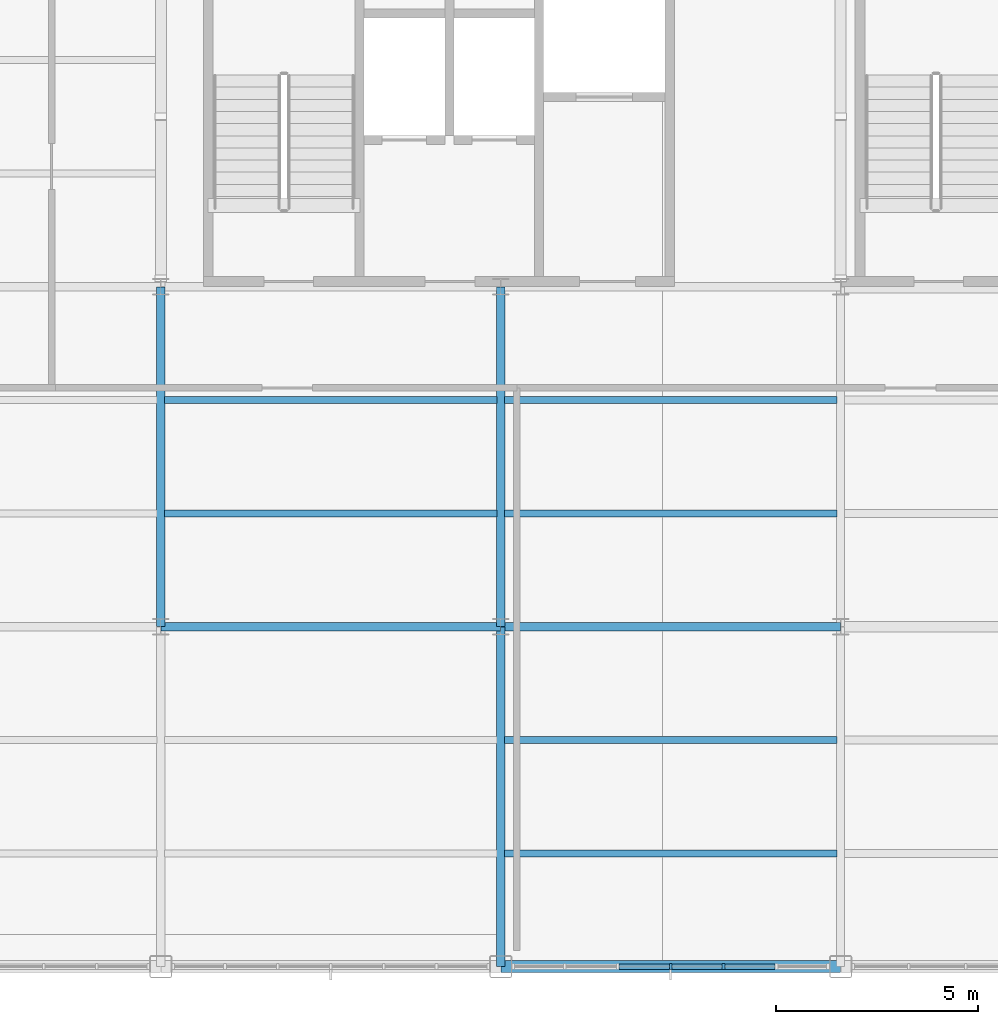
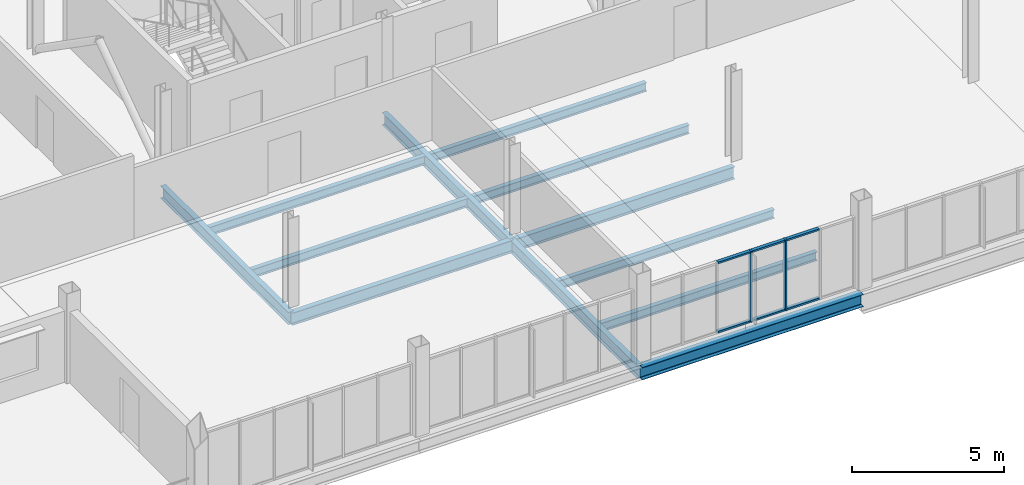
# One storey, part 5 of 18: 12 beams, 8 members, 1 element without a shape of its own.
"""IFC4 building model written with IfcOpenShell, lengths in metres."""

from ifc_helpers import new_model, si_unit, direction, frame, origin, origin_2d, place, context, subcontext, project, spatial, rectangle, i_section, extrude, material, layer, layer_set, material_profile, profile_set, type_object, element, aggregate, save


model = new_model("IFC4")

# Units and contexts
model_context = context("Model", 3, precision=1e-05, world=origin(), true_north=direction((0.0, 1.0)))
body_context = subcontext(model_context, "Body", "Model", "MODEL_VIEW")
ifc_project = project(units=[si_unit("LENGTHUNIT", "METRE"), si_unit("AREAUNIT", "SQUARE_METRE"), si_unit("VOLUMEUNIT", "CUBIC_METRE"), si_unit("PLANEANGLEUNIT", "RADIAN"), si_unit("MASSUNIT", "GRAM", prefix="KILO")], contexts=[model_context])

# Site, building, storey
site_placement = place(None, origin())
site = spatial("IfcSite", under=ifc_project, at=site_placement, CompositionType="ELEMENT")
building_placement = place(site_placement, origin())
building = spatial("IfcBuilding", under=site, at=building_placement, Name="Yukiwa Park Conservatory and Herbarium", CompositionType="ELEMENT")
storey_placement = place(building_placement, frame((0.0, 0.0, 21.0)))
storey = spatial("IfcBuildingStorey", under=building, at=storey_placement, Name="L05", CompositionType="ELEMENT", Elevation=21.0)

# Beams
ifc_material_1 = material(Name="Steel Q355D", Category="steel")
ifc_material_profile_1 = material_profile(ifc_material_1, i_section(OverallWidth=0.199951171875, OverallDepth=0.5, WebThickness=0.010009765625, FlangeThickness=0.01611328125, FilletRadius=0.02001953125, at=origin_2d()), Name="HN 500x200x10x16")
ifc_profile_set_1 = profile_set([ifc_material_profile_1], Name="Steel Q355D")
beam_type_1 = type_object("IfcBeamType", Name="BM-GRD-HN500", PredefinedType="BEAM", material=ifc_profile_set_1)
for number, where, z_axis, x_axis, name in (
    (1, (133.2060546875, 86.39990234375, -0.550048828125), (1.0, 0.0, 0.0), (0.0, 1.0, 0.0), "L05 grid beam X-8"),
    (2, (141.60595703125, 86.39990234375, -0.550048828125), (1.0, 0.0, 0.0), (0.0, 1.0, 0.0), "L05 grid beam X-9"),
    (3, (133.199951171875, 86.406005859375, -0.550048828125), (0.0, 1.0, 0.0), (-1.0, 0.0, 0.0), "L05 grid girder Y-37"),
    (4, (141.60009765625, 78.006103515625, -0.550048828125), (0.0, 1.0, 0.0), (-1.0, 0.0, 0.0), "L05 grid girder Y-40"),
    (5, (141.60009765625, 86.406005859375, -0.550048828125), (0.0, 1.0, 0.0), (-1.0, 0.0, 0.0), "L05 grid girder Y-41"),
):
    element("IfcBeam", number, at=place(storey_placement, frame(where, z_axis=z_axis, x_axis=x_axis)), inside=storey, type_object=beam_type_1, Name=name, PredefinedType="BEAM", context=body_context, shape_type="SweptSolid", body=[
        extrude(i_section(OverallWidth=0.199951171875, OverallDepth=0.5, WebThickness=0.010009765625, FlangeThickness=0.01611328125, FilletRadius=0.02001953125, at=origin_2d()), origin(), (0.0, 0.0, 1.0), 8.387939453125),
    ])
ifc_material_2 = material(Name="Steel Q355D", Category="steel")
ifc_material_profile_2 = material_profile(ifc_material_2, i_section(OverallWidth=0.175048828125, OverallDepth=0.35009765625, WebThickness=0.007080078125, FlangeThickness=0.010986328125, FilletRadius=0.013916015625, at=origin_2d()), Name="HN 350x175x7x11")
ifc_profile_set_2 = profile_set([ifc_material_profile_2], Name="Steel Q355D")
beam_type_2 = type_object("IfcBeamType", Name="BM-JST-HN350", PredefinedType="JOIST", material=ifc_profile_set_2)
for number, where, z_axis, x_axis, name in (
    (6, (133.2958984375, 89.199951171875, -0.47509765625), (1.0, 0.0, 0.0), (0.0, 1.0, 0.0), "L05 composite floor joist 15"),
    (7, (133.2958984375, 92.0, -0.47509765625), (1.0, 0.0, 0.0), (0.0, 1.0, 0.0), "L05 composite floor joist 16"),
    (8, (141.696044921875, 80.800048828125, -0.47509765625), (1.0, 0.0, 0.0), (0.0, 1.0, 0.0), "L05 composite floor joist 19"),
    (9, (141.696044921875, 83.60009765625, -0.47509765625), (1.0, 0.0, 0.0), (0.0, 1.0, 0.0), "L05 composite floor joist 20"),
    (10, (141.696044921875, 89.199951171875, -0.47509765625), (1.0, 0.0, 0.0), (0.0, 1.0, 0.0), "L05 composite floor joist 21"),
    (11, (141.696044921875, 92.0, -0.47509765625), (1.0, 0.0, 0.0), (0.0, 1.0, 0.0), "L05 composite floor joist 22"),
):
    element("IfcBeam", number, at=place(storey_placement, frame(where, z_axis=z_axis, x_axis=x_axis)), inside=storey, type_object=beam_type_2, Name=name, PredefinedType="JOIST", context=body_context, shape_type="SweptSolid", body=[
        extrude(i_section(OverallWidth=0.175048828125, OverallDepth=0.35009765625, WebThickness=0.007080078125, FlangeThickness=0.010986328125, FilletRadius=0.013916015625, at=origin_2d()), origin(), (0.0, 0.0, 1.0), 8.2080078125),
    ])
ifc_material_3 = material(Name="Steel Q355D", Category="steel")
ifc_material_profile_3 = material_profile(ifc_material_3, i_section(OverallWidth=0.300048828125, OverallDepth=0.5, WebThickness=0.010986328125, FlangeThickness=0.01806640625, FilletRadius=0.02392578125, at=origin_2d()), Name="HM 500x300x11x18")
ifc_profile_set_3 = profile_set([ifc_material_profile_3], Name="Steel Q355D")
beam_type_3 = type_object("IfcBeamType", Name="BM-SPN-HN500", PredefinedType="SPANDREL", material=ifc_profile_set_3)
beam_placement = place(storey_placement, frame((141.60595703125, 78.0, -0.550048828125), z_axis=(1.0, 0.0, 0.0), x_axis=(0.0, 1.0, 0.0)))
element("IfcBeam", 12, at=beam_placement, inside=storey, type_object=beam_type_3, Name="L05 spandrel beam X-4", PredefinedType="SPANDREL", context=body_context, shape_type="SweptSolid", body=[
    extrude(i_section(OverallWidth=0.300048828125, OverallDepth=0.5, WebThickness=0.010986328125, FlangeThickness=0.01806640625, FilletRadius=0.02392578125, at=origin_2d()), origin(), (0.0, 0.0, 1.0), 8.387939453125),
])

# Curtain wall, members
ifc_material_4 = material(Name="Triple Low-E Insulated Glass", Category="glass")
ifc_layer = layer(ifc_material_4, 0.248046875)
ifc_layer_set = layer_set([ifc_layer], Name="Triple Low-E Insulated Glass")
curtain_wall_type = type_object("IfcCurtainWallType", Name="CW-TOWER-LAB-S-1400", PredefinedType="NOTDEFINED", material=ifc_layer_set)
curtain_wall_placement = place(storey_placement, origin())
curtain_wall = element("IfcCurtainWall", 13, at=curtain_wall_placement, inside=storey, type_object=curtain_wall_type, Name="L05 unitised curtain wall CW-L05-078", PredefinedType="NOTDEFINED")
ifc_material_5 = material(Name="Anodised Aluminium", Category="aluminium")
member_type_1 = type_object("IfcMemberType", Name="MB-CW-MUL-70X150", PredefinedType="MULLION", material=ifc_material_5)
member_1_placement = place(storey_placement, frame((145.800048828125, 78.0, 0.0), z_axis=(0.0, 0.0, 1.0), x_axis=(1.0, 0.0, 0.0)))
member_1 = element("IfcMember", 14, at=member_1_placement, type_object=member_type_1, Name="CW-L05-078 mullion 4", PredefinedType="MULLION", context=body_context, shape_type="SweptSolid", body=[
    extrude(rectangle(XDim=0.070068359375, YDim=0.14990234375, at=origin_2d()), origin(), (0.0, 0.0, 1.0), 2.85009765625),
])
member_2_placement = place(storey_placement, frame((147.1083984375, 78.0, 0.0), z_axis=(0.0, 0.0, 1.0), x_axis=(1.0, 0.0, 0.0)))
member_2 = element("IfcMember", 15, at=member_2_placement, type_object=member_type_1, Name="CW-L05-078 mullion 5", PredefinedType="MULLION", context=body_context, shape_type="SweptSolid", body=[
    extrude(rectangle(XDim=0.070068359375, YDim=0.14990234375, at=origin_2d()), origin(), (0.0, 0.0, 1.0), 2.85009765625),
])
ifc_material_6 = material(Name="Anodised Aluminium", Category="aluminium")
member_type_2 = type_object("IfcMemberType", Name="MB-CW-TRN-70X130", PredefinedType="USERDEFINED", material=ifc_material_6)
member_3_placement = place(storey_placement, frame((145.145751953125, 78.0, 0.0), z_axis=(0.0, 0.0, 1.0), x_axis=(1.0, 0.0, 0.0)))
member_3 = element("IfcMember", 16, at=member_3_placement, type_object=member_type_2, Name="CW-L05-078 transom 3.1", ObjectType="TRANSOM", PredefinedType="USERDEFINED", context=body_context, shape_type="SweptSolid", body=[
    extrude(rectangle(XDim=1.23828125, YDim=0.1298828125, at=origin_2d()), origin(), (0.0, 0.0, 1.0), 0.070068359375),
])
member_4_placement = place(storey_placement, frame((145.145751953125, 78.0, 2.77978515625), z_axis=(0.0, 0.0, 1.0), x_axis=(1.0, 0.0, 0.0)))
member_4 = element("IfcMember", 17, at=member_4_placement, type_object=member_type_2, Name="CW-L05-078 transom 3.2", ObjectType="TRANSOM", PredefinedType="USERDEFINED", context=body_context, shape_type="SweptSolid", body=[
    extrude(rectangle(XDim=1.23828125, YDim=0.1298828125, at=origin_2d()), origin(), (0.0, 0.0, 1.0), 0.070068359375),
])
member_5_placement = place(storey_placement, frame((146.4541015625, 78.0, 0.0), z_axis=(0.0, 0.0, 1.0), x_axis=(1.0, 0.0, 0.0)))
member_5 = element("IfcMember", 18, at=member_5_placement, type_object=member_type_2, Name="CW-L05-078 transom 4.1", ObjectType="TRANSOM", PredefinedType="USERDEFINED", context=body_context, shape_type="SweptSolid", body=[
    extrude(rectangle(XDim=1.23828125, YDim=0.1298828125, at=origin_2d()), origin(), (0.0, 0.0, 1.0), 0.070068359375),
])
member_6_placement = place(storey_placement, frame((146.4541015625, 78.0, 2.77978515625), z_axis=(0.0, 0.0, 1.0), x_axis=(1.0, 0.0, 0.0)))
member_6 = element("IfcMember", 19, at=member_6_placement, type_object=member_type_2, Name="CW-L05-078 transom 4.2", ObjectType="TRANSOM", PredefinedType="USERDEFINED", context=body_context, shape_type="SweptSolid", body=[
    extrude(rectangle(XDim=1.23828125, YDim=0.1298828125, at=origin_2d()), origin(), (0.0, 0.0, 1.0), 0.070068359375),
])
member_7_placement = place(storey_placement, frame((147.762451171875, 78.0, 0.0), z_axis=(0.0, 0.0, 1.0), x_axis=(1.0, 0.0, 0.0)))
member_7 = element("IfcMember", 20, at=member_7_placement, type_object=member_type_2, Name="CW-L05-078 transom 5.1", ObjectType="TRANSOM", PredefinedType="USERDEFINED", context=body_context, shape_type="SweptSolid", body=[
    extrude(rectangle(XDim=1.23828125, YDim=0.1298828125, at=origin_2d()), origin(), (0.0, 0.0, 1.0), 0.070068359375),
])
member_8_placement = place(storey_placement, frame((147.762451171875, 78.0, 2.77978515625), z_axis=(0.0, 0.0, 1.0), x_axis=(1.0, 0.0, 0.0)))
member_8 = element("IfcMember", 21, at=member_8_placement, type_object=member_type_2, Name="CW-L05-078 transom 5.2", ObjectType="TRANSOM", PredefinedType="USERDEFINED", context=body_context, shape_type="SweptSolid", body=[
    extrude(rectangle(XDim=1.23828125, YDim=0.1298828125, at=origin_2d()), origin(), (0.0, 0.0, 1.0), 0.070068359375),
])
aggregate(curtain_wall, [member_1, member_2, member_3, member_4, member_5, member_6, member_7, member_8])

save(model, "model.ifc")
